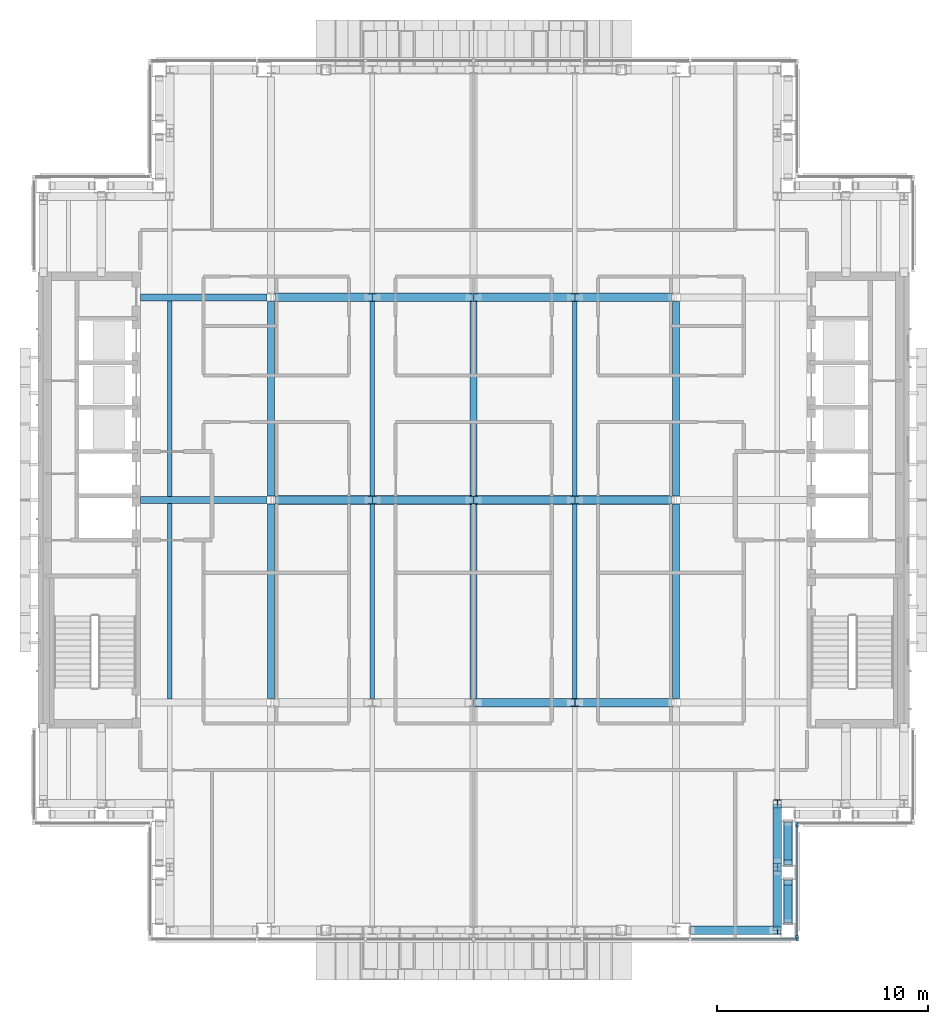
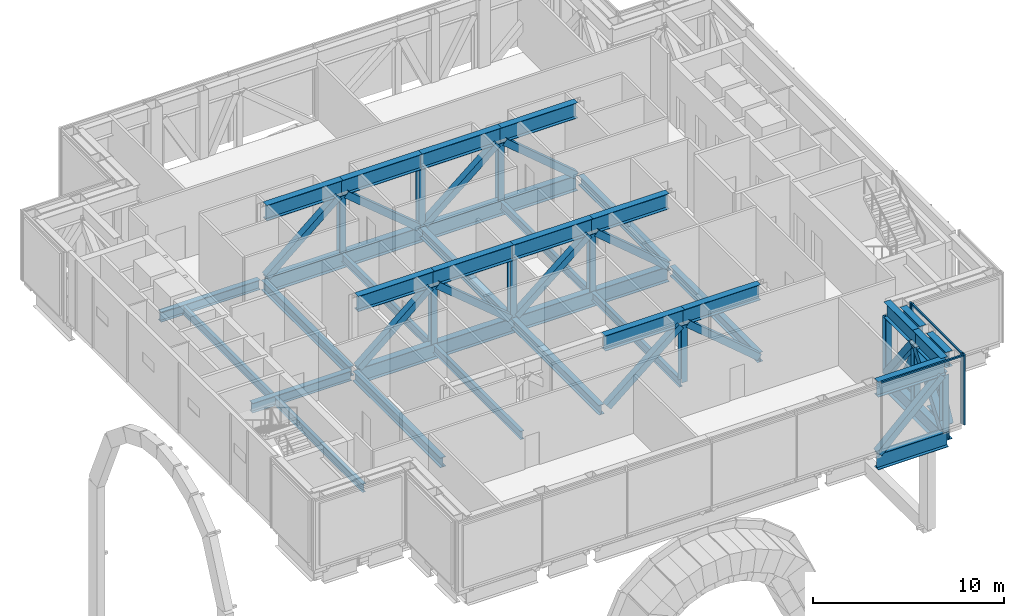
# One storey, part 5 of 26: 52 members, 14 beams, 3 elements without a shape of their own.
"""IFC4 building model written with IfcOpenShell, lengths in metres."""

from ifc_helpers import new_model, si_unit, direction, frame, origin, origin_2d, place, context, subcontext, project, spatial, rectangle, hollow_rectangle, i_section, extrude, material, material_profile, profile_set, type_object, element, aggregate, save


model = new_model("IFC4")

# Units and contexts
model_context = context("Model", 3, precision=1e-05, world=origin(), true_north=direction((0.0, 1.0)))
body_context = subcontext(model_context, "Body", "Model", "MODEL_VIEW")
ifc_project = project(units=[si_unit("LENGTHUNIT", "METRE"), si_unit("AREAUNIT", "SQUARE_METRE"), si_unit("VOLUMEUNIT", "CUBIC_METRE"), si_unit("PLANEANGLEUNIT", "RADIAN"), si_unit("MASSUNIT", "GRAM", prefix="KILO")], contexts=[model_context])

# Site, building, storey
site_placement = place(None, origin())
site = spatial("IfcSite", under=ifc_project, at=site_placement, CompositionType="ELEMENT")
building_placement = place(site_placement, origin())
building = spatial("IfcBuilding", under=site, at=building_placement, Name="Cobrizo Arcos Hotel Tower", CompositionType="ELEMENT")
storey_placement = place(building_placement, frame((0.0, 0.0, 236.5)))
storey = spatial("IfcBuildingStorey", under=building, at=storey_placement, Name="L62", CompositionType="ELEMENT", Elevation=236.5)

# Curtain wall, member
ifc_material_1 = material(Name="Aluminium 6063-T6 anodised bronze", Category="aluminium")
curtain_wall_type = type_object("IfcCurtainWallType", Name="CW-D plant louvre wall", PredefinedType="NOTDEFINED", material=ifc_material_1)
curtain_wall_1_placement = place(storey_placement, origin())
curtain_wall_1 = element("IfcCurtainWall", 1, at=curtain_wall_1_placement, inside=storey, type_object=curtain_wall_type, Name="CW-D L62 S face", PredefinedType="NOTDEFINED")
ifc_material_profile_1 = material_profile(ifc_material_1, rectangle(XDim=0.14990234375, YDim=0.10009765625, at=origin_2d()), Name="CW-D mullion 150x100")
ifc_profile_set_1 = profile_set([ifc_material_profile_1], Name="Aluminium 6063-T6 anodised bronze")
member_type_1 = type_object("IfcMemberType", Name="CW-D mullion 150x100", PredefinedType="MULLION", material=ifc_profile_set_1)
member_1_placement = place(storey_placement, frame((15.35009765625, -20.824951171875, 0.0), z_axis=(0.0, 0.0, 1.0), x_axis=(0.0, -1.0, 0.0)))
member_1 = element("IfcMember", 2, at=member_1_placement, type_object=member_type_1, Name="CW-D mullion 7", PredefinedType="MULLION", context=body_context, shape_type="SweptSolid", body=[
    extrude(rectangle(XDim=0.14990234375, YDim=0.10009765625, at=origin_2d()), origin(), (0.0, 0.0, 1.0), 4.5),
])

# Curtain wall, members
curtain_wall_2_placement = place(storey_placement, origin())
curtain_wall_2 = element("IfcCurtainWall", 3, at=curtain_wall_2_placement, inside=storey, type_object=curtain_wall_type, Name="CW-D L62 E face", PredefinedType="NOTDEFINED")
member_2_placement = place(storey_placement, frame((15.324951171875, -20.699951171875, 0.0), z_axis=(0.0, 0.0, 1.0), x_axis=(1.0, 0.0, 0.0)))
member_2 = element("IfcMember", 4, at=member_2_placement, type_object=member_type_1, Name="CW-D mullion 1", PredefinedType="MULLION", context=body_context, shape_type="SweptSolid", body=[
    extrude(rectangle(XDim=0.14990234375, YDim=0.10009765625, at=origin_2d()), origin(), (0.0, 0.0, 1.0), 4.5),
])
member_3_placement = place(storey_placement, frame((15.324951171875, -15.449951171875, 0.0), z_axis=(0.0, 0.0, 1.0), x_axis=(1.0, 0.0, 0.0)))
member_3 = element("IfcMember", 5, at=member_3_placement, type_object=member_type_1, Name="CW-D mullion 2", PredefinedType="MULLION", context=body_context, shape_type="SweptSolid", body=[
    extrude(rectangle(XDim=0.14990234375, YDim=0.10009765625, at=origin_2d()), origin(), (0.0, 0.0, 1.0), 4.5),
])

# Curtain wall, member
curtain_wall_3_placement = place(storey_placement, origin())
curtain_wall_3 = element("IfcCurtainWall", 6, at=curtain_wall_3_placement, inside=storey, type_object=curtain_wall_type, Name="CW-D L62 S face", PredefinedType="NOTDEFINED")
member_4_placement = place(storey_placement, frame((15.300048828125, -15.324951171875, 0.0), z_axis=(0.0, 0.0, 1.0), x_axis=(0.0, -1.0, 0.0)))
member_4 = element("IfcMember", 7, at=member_4_placement, type_object=member_type_1, Name="CW-D mullion 1", PredefinedType="MULLION", context=body_context, shape_type="SweptSolid", body=[
    extrude(rectangle(XDim=0.14990234375, YDim=0.10009765625, at=origin_2d()), origin(), (0.0, 0.0, 1.0), 4.5),
])
aggregate(curtain_wall_3, [member_4])

# Member
ifc_material_profile_2 = material_profile(ifc_material_1, rectangle(XDim=0.10009765625, YDim=0.10009765625, at=origin_2d()), Name="CW-D transom 100x100")
ifc_profile_set_2 = profile_set([ifc_material_profile_2], Name="Aluminium 6063-T6 anodised bronze")
member_type_2 = type_object("IfcMemberType", Name="CW-D transom 100x100", PredefinedType="USERDEFINED", material=ifc_profile_set_2)
member_5_placement = place(storey_placement, frame((10.316650390625, -20.824951171875, 4.449951171875), z_axis=(1.0, 0.0, 0.0), x_axis=(0.0, 1.0, 0.0)))
member_5 = element("IfcMember", 8, at=member_5_placement, type_object=member_type_2, Name="CW-D transom 1993", ObjectType="TRANSOM", PredefinedType="USERDEFINED", context=body_context, shape_type="SweptSolid", body=[
    extrude(rectangle(XDim=0.10009765625, YDim=0.10009765625, at=origin_2d()), origin(), (0.0, 0.0, 1.0), 4.9833984375),
])

aggregate(curtain_wall_1, [member_1, member_5])

member_6_placement = place(storey_placement, frame((15.324951171875, -20.64990234375, 4.449951171875), z_axis=(0.0, 1.0, 0.0), x_axis=(-1.0, 0.0, 0.0)))
member_6 = element("IfcMember", 9, at=member_6_placement, type_object=member_type_2, Name="CW-D transom 1994", ObjectType="TRANSOM", PredefinedType="USERDEFINED", context=body_context, shape_type="SweptSolid", body=[
    extrude(rectangle(XDim=0.10009765625, YDim=0.10009765625, at=origin_2d()), origin(), (0.0, 0.0, 1.0), 5.14990234375),
])

aggregate(curtain_wall_2, [member_2, member_3, member_6])

# Members
ifc_material_2 = material(Name="Steel ASTM A500 Grade C", Category="steel")
ifc_material_profile_3 = material_profile(ifc_material_2, hollow_rectangle(XDim=0.406494140625, YDim=0.406494140625, WallThickness=0.014892578125, at=origin_2d()), Name="HSS16X16X5/8")
ifc_profile_set_3 = profile_set([ifc_material_profile_3], Name="Steel ASTM A500 Grade C")
member_type_3 = type_object("IfcMemberType", Name="HSS16X16X5/8 truss diagonal", PredefinedType="BRACE", material=ifc_profile_set_3)
member_7_placement = place(storey_placement, frame((10.363037109375, -20.39990234375, -0.300048828125), z_axis=(0.723646087401, 0.0, 0.690171239759), x_axis=(0.0, 1.0, 0.0)))
element("IfcMember", 10, at=member_7_placement, inside=storey, type_object=member_type_3, Name="Belt truss diagonal TD1, L62, no. 008", PredefinedType="BRACE", context=body_context, shape_type="SweptSolid", body=[
    extrude(hollow_rectangle(XDim=0.406494140625, YDim=0.406494140625, WallThickness=0.014892578125, at=origin_2d()), origin(), (0.0, 0.0, 1.0), 5.30224609375),
])
for number, where, z_axis, x_axis, name in (
    (11, (14.89990234375, -19.969970703125, -0.300048828125), (0.0, 0.458864866216, 0.888506068945), (-1.0, 0.0, 0.0), "Belt truss diagonal TD1, L62, no. 009"),
    (12, (14.89990234375, -17.219970703125, 3.359375), (0.0, 0.458864866216, -0.888506068945), (-1.0, 0.0, 0.0), "Belt truss diagonal TD1, L62, no. 010"),
):
    element("IfcMember", number, at=place(storey_placement, frame(where, z_axis=z_axis, x_axis=x_axis)), inside=storey, type_object=member_type_3, Name=name, PredefinedType="BRACE", context=body_context, shape_type="SweptSolid", body=[
        extrude(hollow_rectangle(XDim=0.406494140625, YDim=0.406494140625, WallThickness=0.014892578125, at=origin_2d()), origin(), (0.0, 0.0, 1.0), 4.11865234375),
    ])
for number, where, z_axis, x_axis, name in (
    (13, (14.39990234375, -20.39990234375, -0.300048828125), (0.0, 0.607644795951, 0.794208915811), (-1.0, 0.0, 0.0), "Belt truss diagonal TD1, L62, no. 037"),
    (14, (14.39990234375, -17.199951171875, 3.359375), (0.0, 0.607678216274, -0.794183344994), (-1.0, 0.0, 0.0), "Belt truss diagonal TD1, L62, no. 038"),
):
    element("IfcMember", number, at=place(storey_placement, frame(where, z_axis=z_axis, x_axis=x_axis)), inside=storey, type_object=member_type_3, Name=name, PredefinedType="BRACE", context=body_context, shape_type="SweptSolid", body=[
        extrude(hollow_rectangle(XDim=0.406494140625, YDim=0.406494140625, WallThickness=0.014892578125, at=origin_2d()), origin(), (0.0, 0.0, 1.0), 4.607666015625),
    ])
member_8_placement = place(storey_placement, frame((0.199951171875, -9.60009765625, -0.300048828125), z_axis=(0.768853804664, 0.0, 0.639424606231), x_axis=(0.0, 1.0, 0.0)))
element("IfcMember", 15, at=member_8_placement, inside=storey, type_object=member_type_3, Name="Outrigger diagonal TD1, L62, no. 007", PredefinedType="BRACE", context=body_context, shape_type="SweptSolid", body=[
    extrude(hollow_rectangle(XDim=0.406494140625, YDim=0.406494140625, WallThickness=0.014892578125, at=origin_2d()), origin(), (0.0, 0.0, 1.0), 5.722900390625),
])
for number, where, z_axis, x_axis, name in (
    (16, (5.0, -9.60009765625, 3.359375), (0.764009639917, 0.0, -0.645204828031), (0.0, 1.0, 0.0), "Outrigger diagonal TD1, L62, no. 008"),
    (17, (-9.333251953125, 0.0, -0.300048828125), (0.764009639917, 0.0, 0.645204828031), (0.0, 1.0, 0.0), "Outrigger diagonal TD1, L62, no. 009"),
):
    element("IfcMember", number, at=place(storey_placement, frame(where, z_axis=z_axis, x_axis=x_axis)), inside=storey, type_object=member_type_3, Name=name, PredefinedType="BRACE", context=body_context, shape_type="SweptSolid", body=[
        extrude(hollow_rectangle(XDim=0.406494140625, YDim=0.406494140625, WallThickness=0.014892578125, at=origin_2d()), origin(), (0.0, 0.0, 1.0), 5.671630859375),
    ])
for number, where, z_axis, x_axis, name in (
    (18, (-4.60009765625, 0.0, 3.359375), (0.768853804664, 0.0, -0.639424606231), (0.0, 1.0, 0.0), "Outrigger diagonal TD1, L62, no. 010"),
    (19, (0.199951171875, 0.0, -0.300048828125), (0.768853804664, 0.0, 0.639424606231), (0.0, 1.0, 0.0), "Outrigger diagonal TD1, L62, no. 011"),
):
    element("IfcMember", number, at=place(storey_placement, frame(where, z_axis=z_axis, x_axis=x_axis)), inside=storey, type_object=member_type_3, Name=name, PredefinedType="BRACE", context=body_context, shape_type="SweptSolid", body=[
        extrude(hollow_rectangle(XDim=0.406494140625, YDim=0.406494140625, WallThickness=0.014892578125, at=origin_2d()), origin(), (0.0, 0.0, 1.0), 5.722900390625),
    ])
for number, where, z_axis, x_axis, name in (
    (20, (5.0, 0.0, 3.359375), (0.764009639917, 0.0, -0.645204828031), (0.0, 1.0, 0.0), "Outrigger diagonal TD1, L62, no. 012"),
    (21, (-9.333251953125, 9.60009765625, -0.300048828125), (0.764009639917, 0.0, 0.645204828031), (0.0, 1.0, 0.0), "Outrigger diagonal TD1, L62, no. 013"),
):
    element("IfcMember", number, at=place(storey_placement, frame(where, z_axis=z_axis, x_axis=x_axis)), inside=storey, type_object=member_type_3, Name=name, PredefinedType="BRACE", context=body_context, shape_type="SweptSolid", body=[
        extrude(hollow_rectangle(XDim=0.406494140625, YDim=0.406494140625, WallThickness=0.014892578125, at=origin_2d()), origin(), (0.0, 0.0, 1.0), 5.671630859375),
    ])
for number, where, z_axis, x_axis, name in (
    (22, (-4.60009765625, 9.60009765625, 3.359375), (0.768853804664, 0.0, -0.639424606231), (0.0, 1.0, 0.0), "Outrigger diagonal TD1, L62, no. 014"),
    (23, (0.199951171875, 9.60009765625, -0.300048828125), (0.768853804664, 0.0, 0.639424606231), (0.0, 1.0, 0.0), "Outrigger diagonal TD1, L62, no. 015"),
):
    element("IfcMember", number, at=place(storey_placement, frame(where, z_axis=z_axis, x_axis=x_axis)), inside=storey, type_object=member_type_3, Name=name, PredefinedType="BRACE", context=body_context, shape_type="SweptSolid", body=[
        extrude(hollow_rectangle(XDim=0.406494140625, YDim=0.406494140625, WallThickness=0.014892578125, at=origin_2d()), origin(), (0.0, 0.0, 1.0), 5.722900390625),
    ])
member_9_placement = place(storey_placement, frame((5.0, 9.60009765625, 3.359375), z_axis=(0.764009639917, 0.0, -0.645204828031), x_axis=(0.0, 1.0, 0.0)))
element("IfcMember", 24, at=member_9_placement, inside=storey, type_object=member_type_3, Name="Outrigger diagonal TD1, L62, no. 016", PredefinedType="BRACE", context=body_context, shape_type="SweptSolid", body=[
    extrude(hollow_rectangle(XDim=0.406494140625, YDim=0.406494140625, WallThickness=0.014892578125, at=origin_2d()), origin(), (0.0, 0.0, 1.0), 5.671630859375),
])
ifc_material_3 = material(Name="Steel ASTM A992 Grade 50", Category="steel")
ifc_material_profile_4 = material_profile(ifc_material_3, i_section(OverallWidth=0.373291015625, OverallDepth=0.373291015625, WebThickness=0.016357421875, FlangeThickness=0.026123046875, at=origin_2d()), Name="W14X132")
ifc_profile_set_4 = profile_set([ifc_material_profile_4], Name="Steel ASTM A992 Grade 50")
member_type_4 = type_object("IfcMemberType", Name="W14X132 truss post", PredefinedType="POST", material=ifc_profile_set_4)
for number, where, z_axis, x_axis, name in (
    (25, (14.39990234375, -20.39990234375, -0.300048828125), (0.0, 0.0, 1.0), (1.0, 0.0, 0.0), "Truss post TP1, L62, no. 007"),
    (26, (14.39990234375, -17.39990234375, -0.300048828125), (0.0, 0.0, 1.0), (1.0, 0.0, 0.0), "Truss post TP1, L62, no. 019"),
    (27, (14.39990234375, -14.39990234375, -0.300048828125), (0.0, 0.0, 1.0), (1.0, 0.0, 0.0), "Truss post TP1, L62, no. 020"),
    (28, (4.800048828125, -9.60009765625, -0.300048828125), (0.0, 0.0, 1.0), (1.0, 0.0, 0.0), "Truss post TP1, L62, no. 033"),
    (29, (-4.800048828125, 0.0, -0.300048828125), (0.0, 0.0, 1.0), (1.0, 0.0, 0.0), "Truss post TP1, L62, no. 034"),
    (30, (0.0, 0.0, -0.300048828125), (0.0, 0.0, 1.0), (1.0, 0.0, 0.0), "Truss post TP1, L62, no. 035"),
    (31, (4.800048828125, 0.0, -0.300048828125), (0.0, 0.0, 1.0), (1.0, 0.0, 0.0), "Truss post TP1, L62, no. 036"),
    (32, (-4.800048828125, 9.60009765625, -0.300048828125), (0.0, 0.0, 1.0), (1.0, 0.0, 0.0), "Truss post TP1, L62, no. 037"),
    (33, (0.0, 9.60009765625, -0.300048828125), (0.0, 0.0, 1.0), (1.0, 0.0, 0.0), "Truss post TP1, L62, no. 038"),
    (34, (4.800048828125, 9.60009765625, -0.300048828125), (0.0, 0.0, 1.0), (1.0, 0.0, 0.0), "Truss post TP1, L62, no. 039"),
):
    element("IfcMember", number, at=place(storey_placement, frame(where, z_axis=z_axis, x_axis=x_axis)), inside=storey, type_object=member_type_4, Name=name, PredefinedType="POST", context=body_context, shape_type="SweptSolid", body=[
        extrude(i_section(OverallWidth=0.373291015625, OverallDepth=0.373291015625, WebThickness=0.016357421875, FlangeThickness=0.026123046875, at=origin_2d()), origin(), (0.0, 0.0, 1.0), 3.659423828125),
    ])

# Beams
ifc_material_profile_5 = material_profile(ifc_material_3, i_section(OverallWidth=0.209228515625, OverallDepth=0.533447265625, WebThickness=0.01025390625, FlangeThickness=0.015625, at=origin_2d()), Name="W21X62")
ifc_profile_set_5 = profile_set([ifc_material_profile_5], Name="Steel ASTM A992 Grade 50")
beam_type_1 = type_object("IfcBeamType", Name="W21X62 joist", PredefinedType="JOIST", material=ifc_profile_set_5)
for number, where, z_axis, x_axis, name in (
    (35, (-14.39990234375, -9.43603515625, -0.566650390625), (0.0, 1.0, 0.0), (-1.0, 0.0, 0.0), "Floor joist J1, L62, no. 004"),
    (36, (-14.39990234375, 0.163818359375, -0.566650390625), (0.0, 1.0, 0.0), (-1.0, 0.0, 0.0), "Floor joist J1, L62, no. 005"),
):
    element("IfcBeam", number, at=place(storey_placement, frame(where, z_axis=z_axis, x_axis=x_axis)), inside=storey, type_object=beam_type_1, Name=name, PredefinedType="JOIST", context=body_context, shape_type="SweptSolid", body=[
        extrude(i_section(OverallWidth=0.209228515625, OverallDepth=0.533447265625, WebThickness=0.01025390625, FlangeThickness=0.015625, at=origin_2d()), origin(), (0.0, 0.0, 1.0), 9.272216796875),
    ])
for number, where, z_axis, x_axis, name in (
    (37, (-4.800048828125, -9.3994140625, -0.566650390625), (0.0, 1.0, 0.0), (-1.0, 0.0, 0.0), "Floor joist J1, L62, no. 008"),
    (38, (-4.800048828125, 0.200439453125, -0.566650390625), (0.0, 1.0, 0.0), (-1.0, 0.0, 0.0), "Floor joist J1, L62, no. 009"),
    (39, (4.800048828125, -9.3994140625, -0.566650390625), (0.0, 1.0, 0.0), (-1.0, 0.0, 0.0), "Floor joist J1, L62, no. 012"),
    (40, (4.800048828125, 0.200439453125, -0.566650390625), (0.0, 1.0, 0.0), (-1.0, 0.0, 0.0), "Floor joist J1, L62, no. 013"),
):
    element("IfcBeam", number, at=place(storey_placement, frame(where, z_axis=z_axis, x_axis=x_axis)), inside=storey, type_object=beam_type_1, Name=name, PredefinedType="JOIST", context=body_context, shape_type="SweptSolid", body=[
        extrude(i_section(OverallWidth=0.209228515625, OverallDepth=0.533447265625, WebThickness=0.01025390625, FlangeThickness=0.015625, at=origin_2d()), origin(), (0.0, 0.0, 1.0), 9.198974609375),
    ])
ifc_material_profile_6 = material_profile(ifc_material_3, i_section(OverallWidth=0.32763671875, OverallDepth=0.622314453125, WebThickness=0.015380859375, FlangeThickness=0.0244140625, at=origin_2d()), Name="W24X131")
ifc_profile_set_6 = profile_set([ifc_material_profile_6], Name="Steel ASTM A992 Grade 50")
beam_type_2 = type_object("IfcBeamType", Name="W24X131 girder", PredefinedType="BEAM", material=ifc_profile_set_6)
for number, where, z_axis, x_axis, name in (
    (41, (-15.7900390625, 0.0, -0.611083984375), (1.0, 0.0, 0.0), (0.0, 1.0, 0.0), "Floor girder G1, L62, no. 003"),
    (42, (-15.7900390625, 9.60009765625, -0.611083984375), (1.0, 0.0, 0.0), (0.0, 1.0, 0.0), "Floor girder G1, L62, no. 005"),
):
    element("IfcBeam", number, at=place(storey_placement, frame(where, z_axis=z_axis, x_axis=x_axis)), inside=storey, type_object=beam_type_2, Name=name, PredefinedType="BEAM", context=body_context, shape_type="SweptSolid", body=[
        extrude(i_section(OverallWidth=0.32763671875, OverallDepth=0.622314453125, WebThickness=0.015380859375, FlangeThickness=0.0244140625, at=origin_2d()), origin(), (0.0, 0.0, 1.0), 6.00341796875),
    ])
for number, where, z_axis, x_axis, name in (
    (43, (-9.60009765625, -9.3994140625, -0.611083984375), (0.0, 1.0, 0.0), (-1.0, 0.0, 0.0), "Floor girder G1, L62, no. 008"),
    (44, (-9.60009765625, 0.200439453125, -0.611083984375), (0.0, 1.0, 0.0), (-1.0, 0.0, 0.0), "Floor girder G1, L62, no. 009"),
    (45, (0.0, -9.3994140625, -0.611083984375), (0.0, 1.0, 0.0), (-1.0, 0.0, 0.0), "Floor girder G1, L62, no. 012"),
    (46, (0.0, 0.200439453125, -0.611083984375), (0.0, 1.0, 0.0), (-1.0, 0.0, 0.0), "Floor girder G1, L62, no. 013"),
    (47, (9.60009765625, -9.3994140625, -0.611083984375), (0.0, 1.0, 0.0), (-1.0, 0.0, 0.0), "Floor girder G1, L62, no. 016"),
    (48, (9.60009765625, 0.200439453125, -0.611083984375), (0.0, 1.0, 0.0), (-1.0, 0.0, 0.0), "Floor girder G1, L62, no. 017"),
):
    element("IfcBeam", number, at=place(storey_placement, frame(where, z_axis=z_axis, x_axis=x_axis)), inside=storey, type_object=beam_type_2, Name=name, PredefinedType="BEAM", context=body_context, shape_type="SweptSolid", body=[
        extrude(i_section(OverallWidth=0.32763671875, OverallDepth=0.622314453125, WebThickness=0.015380859375, FlangeThickness=0.0244140625, at=origin_2d()), origin(), (0.0, 0.0, 1.0), 9.198974609375),
    ])

# Members
ifc_material_profile_7 = material_profile(ifc_material_3, i_section(OverallWidth=0.4013671875, OverallDepth=0.990478515625, WebThickness=0.0166015625, FlangeThickness=0.025390625, at=origin_2d()), Name="W40X215")
ifc_profile_set_7 = profile_set([ifc_material_profile_7], Name="Steel ASTM A992 Grade 50")
member_type_5 = type_object("IfcMemberType", Name="W40X215 belt truss chord", PredefinedType="CHORD", material=ifc_profile_set_7)
member_10_placement = place(storey_placement, frame((10.282958984375, -20.39990234375, -0.79541015625), z_axis=(1.0, 0.0, 0.0), x_axis=(0.0, 1.0, 0.0)))
element("IfcMember", 49, at=member_10_placement, inside=storey, type_object=member_type_5, Name="Belt truss bottom chord TC1, L62, no. 005", PredefinedType="CHORD", context=body_context, shape_type="SweptSolid", body=[
    extrude(i_section(OverallWidth=0.4013671875, OverallDepth=0.990478515625, WebThickness=0.0166015625, FlangeThickness=0.025390625, at=origin_2d()), origin(), (0.0, 0.0, 1.0), 4.26708984375),
])
member_11_placement = place(storey_placement, frame((10.282958984375, -20.39990234375, 3.854736328125), z_axis=(1.0, 0.0, 0.0), x_axis=(0.0, 1.0, 0.0)))
element("IfcMember", 50, at=member_11_placement, inside=storey, type_object=member_type_5, Name="Belt truss top chord TC1, L62, no. 008", PredefinedType="CHORD", context=body_context, shape_type="SweptSolid", body=[
    extrude(i_section(OverallWidth=0.4013671875, OverallDepth=0.990478515625, WebThickness=0.0166015625, FlangeThickness=0.025390625, at=origin_2d()), origin(), (0.0, 0.0, 1.0), 4.116943359375),
])
for number, where, z_axis, x_axis, name in (
    (51, (14.89990234375, -20.050048828125, -0.79541015625), (0.0, 1.0, 0.0), (-1.0, 0.0, 0.0), "Belt truss bottom chord TC1, L62, no. 006"),
    (52, (14.89990234375, -17.300048828125, -0.79541015625), (0.0, 1.0, 0.0), (-1.0, 0.0, 0.0), "Belt truss bottom chord TC1, L62, no. 007"),
    (53, (14.89990234375, -20.050048828125, 3.854736328125), (0.0, 1.0, 0.0), (-1.0, 0.0, 0.0), "Belt truss top chord TC1, L62, no. 009"),
    (54, (14.89990234375, -17.300048828125, 3.854736328125), (0.0, 1.0, 0.0), (-1.0, 0.0, 0.0), "Belt truss top chord TC1, L62, no. 010"),
):
    element("IfcMember", number, at=place(storey_placement, frame(where, z_axis=z_axis, x_axis=x_axis)), inside=storey, type_object=member_type_5, Name=name, PredefinedType="CHORD", context=body_context, shape_type="SweptSolid", body=[
        extrude(i_section(OverallWidth=0.4013671875, OverallDepth=0.990478515625, WebThickness=0.0166015625, FlangeThickness=0.025390625, at=origin_2d()), origin(), (0.0, 0.0, 1.0), 2.050048828125),
    ])
member_12_placement = place(storey_placement, frame((14.39990234375, -20.39990234375, -0.79541015625), z_axis=(0.0, 1.0, 0.0), x_axis=(-1.0, 0.0, 0.0)))
element("IfcMember", 55, at=member_12_placement, inside=storey, type_object=member_type_5, Name="Belt truss bottom chord TC1, L62, no. 031", PredefinedType="CHORD", context=body_context, shape_type="SweptSolid", body=[
    extrude(i_section(OverallWidth=0.4013671875, OverallDepth=0.990478515625, WebThickness=0.0166015625, FlangeThickness=0.025390625, at=origin_2d()), origin(), (0.0, 0.0, 1.0), 6.0),
])
for number, where, z_axis, x_axis, name in (
    (56, (14.39990234375, -20.39990234375, 3.854736328125), (0.0, 1.0, 0.0), (-1.0, 0.0, 0.0), "Belt truss top chord TC1, L62, no. 037"),
    (57, (14.39990234375, -17.39990234375, 3.854736328125), (0.0, 1.0, 0.0), (-1.0, 0.0, 0.0), "Belt truss top chord TC1, L62, no. 038"),
):
    element("IfcMember", number, at=place(storey_placement, frame(where, z_axis=z_axis, x_axis=x_axis)), inside=storey, type_object=member_type_5, Name=name, PredefinedType="CHORD", context=body_context, shape_type="SweptSolid", body=[
        extrude(i_section(OverallWidth=0.4013671875, OverallDepth=0.990478515625, WebThickness=0.0166015625, FlangeThickness=0.025390625, at=origin_2d()), origin(), (0.0, 0.0, 1.0), 3.0),
    ])
member_13_placement = place(storey_placement, frame((0.0, -9.60009765625, 3.854736328125), z_axis=(1.0, 0.0, 0.0), x_axis=(0.0, 1.0, 0.0)))
element("IfcMember", 58, at=member_13_placement, inside=storey, type_object=member_type_5, Name="Outrigger top chord TC1, L62, no. 007", PredefinedType="CHORD", context=body_context, shape_type="SweptSolid", body=[
    extrude(i_section(OverallWidth=0.4013671875, OverallDepth=0.990478515625, WebThickness=0.0166015625, FlangeThickness=0.025390625, at=origin_2d()), origin(), (0.0, 0.0, 1.0), 4.800048828125),
])
member_14_placement = place(storey_placement, frame((4.800048828125, -9.60009765625, 3.854736328125), z_axis=(1.0, 0.0, 0.0), x_axis=(0.0, 1.0, 0.0)))
element("IfcMember", 59, at=member_14_placement, inside=storey, type_object=member_type_5, Name="Outrigger top chord TC1, L62, no. 008", PredefinedType="CHORD", context=body_context, shape_type="SweptSolid", body=[
    extrude(i_section(OverallWidth=0.4013671875, OverallDepth=0.990478515625, WebThickness=0.0166015625, FlangeThickness=0.025390625, at=origin_2d()), origin(), (0.0, 0.0, 1.0), 4.61328125),
])
member_15_placement = place(storey_placement, frame((-9.413330078125, 0.0, -0.79541015625), z_axis=(1.0, 0.0, 0.0), x_axis=(0.0, 1.0, 0.0)))
element("IfcMember", 60, at=member_15_placement, inside=storey, type_object=member_type_5, Name="Outrigger bottom chord TC1, L62, no. 006", PredefinedType="CHORD", context=body_context, shape_type="SweptSolid", body=[
    extrude(i_section(OverallWidth=0.4013671875, OverallDepth=0.990478515625, WebThickness=0.0166015625, FlangeThickness=0.025390625, at=origin_2d()), origin(), (0.0, 0.0, 1.0), 18.82666015625),
])
member_16_placement = place(storey_placement, frame((-9.413330078125, 0.0, 3.854736328125), z_axis=(1.0, 0.0, 0.0), x_axis=(0.0, 1.0, 0.0)))
element("IfcMember", 61, at=member_16_placement, inside=storey, type_object=member_type_5, Name="Outrigger top chord TC1, L62, no. 009", PredefinedType="CHORD", context=body_context, shape_type="SweptSolid", body=[
    extrude(i_section(OverallWidth=0.4013671875, OverallDepth=0.990478515625, WebThickness=0.0166015625, FlangeThickness=0.025390625, at=origin_2d()), origin(), (0.0, 0.0, 1.0), 4.61328125),
])
for number, where, z_axis, x_axis, name in (
    (62, (-4.800048828125, 0.0, 3.854736328125), (1.0, 0.0, 0.0), (0.0, 1.0, 0.0), "Outrigger top chord TC1, L62, no. 010"),
    (63, (0.0, 0.0, 3.854736328125), (1.0, 0.0, 0.0), (0.0, 1.0, 0.0), "Outrigger top chord TC1, L62, no. 011"),
):
    element("IfcMember", number, at=place(storey_placement, frame(where, z_axis=z_axis, x_axis=x_axis)), inside=storey, type_object=member_type_5, Name=name, PredefinedType="CHORD", context=body_context, shape_type="SweptSolid", body=[
        extrude(i_section(OverallWidth=0.4013671875, OverallDepth=0.990478515625, WebThickness=0.0166015625, FlangeThickness=0.025390625, at=origin_2d()), origin(), (0.0, 0.0, 1.0), 4.800048828125),
    ])
member_17_placement = place(storey_placement, frame((4.800048828125, 0.0, 3.854736328125), z_axis=(1.0, 0.0, 0.0), x_axis=(0.0, 1.0, 0.0)))
element("IfcMember", 64, at=member_17_placement, inside=storey, type_object=member_type_5, Name="Outrigger top chord TC1, L62, no. 012", PredefinedType="CHORD", context=body_context, shape_type="SweptSolid", body=[
    extrude(i_section(OverallWidth=0.4013671875, OverallDepth=0.990478515625, WebThickness=0.0166015625, FlangeThickness=0.025390625, at=origin_2d()), origin(), (0.0, 0.0, 1.0), 4.61328125),
])
member_18_placement = place(storey_placement, frame((-9.413330078125, 9.60009765625, -0.79541015625), z_axis=(1.0, 0.0, 0.0), x_axis=(0.0, 1.0, 0.0)))
element("IfcMember", 65, at=member_18_placement, inside=storey, type_object=member_type_5, Name="Outrigger bottom chord TC1, L62, no. 007", PredefinedType="CHORD", context=body_context, shape_type="SweptSolid", body=[
    extrude(i_section(OverallWidth=0.4013671875, OverallDepth=0.990478515625, WebThickness=0.0166015625, FlangeThickness=0.025390625, at=origin_2d()), origin(), (0.0, 0.0, 1.0), 18.82666015625),
])
member_19_placement = place(storey_placement, frame((-9.413330078125, 9.60009765625, 3.854736328125), z_axis=(1.0, 0.0, 0.0), x_axis=(0.0, 1.0, 0.0)))
element("IfcMember", 66, at=member_19_placement, inside=storey, type_object=member_type_5, Name="Outrigger top chord TC1, L62, no. 013", PredefinedType="CHORD", context=body_context, shape_type="SweptSolid", body=[
    extrude(i_section(OverallWidth=0.4013671875, OverallDepth=0.990478515625, WebThickness=0.0166015625, FlangeThickness=0.025390625, at=origin_2d()), origin(), (0.0, 0.0, 1.0), 4.61328125),
])
for number, where, z_axis, x_axis, name in (
    (67, (-4.800048828125, 9.60009765625, 3.854736328125), (1.0, 0.0, 0.0), (0.0, 1.0, 0.0), "Outrigger top chord TC1, L62, no. 014"),
    (68, (0.0, 9.60009765625, 3.854736328125), (1.0, 0.0, 0.0), (0.0, 1.0, 0.0), "Outrigger top chord TC1, L62, no. 015"),
):
    element("IfcMember", number, at=place(storey_placement, frame(where, z_axis=z_axis, x_axis=x_axis)), inside=storey, type_object=member_type_5, Name=name, PredefinedType="CHORD", context=body_context, shape_type="SweptSolid", body=[
        extrude(i_section(OverallWidth=0.4013671875, OverallDepth=0.990478515625, WebThickness=0.0166015625, FlangeThickness=0.025390625, at=origin_2d()), origin(), (0.0, 0.0, 1.0), 4.800048828125),
    ])
member_20_placement = place(storey_placement, frame((4.800048828125, 9.60009765625, 3.854736328125), z_axis=(1.0, 0.0, 0.0), x_axis=(0.0, 1.0, 0.0)))
element("IfcMember", 69, at=member_20_placement, inside=storey, type_object=member_type_5, Name="Outrigger top chord TC1, L62, no. 016", PredefinedType="CHORD", context=body_context, shape_type="SweptSolid", body=[
    extrude(i_section(OverallWidth=0.4013671875, OverallDepth=0.990478515625, WebThickness=0.0166015625, FlangeThickness=0.025390625, at=origin_2d()), origin(), (0.0, 0.0, 1.0), 4.61328125),
])

save(model, "model.ifc")
